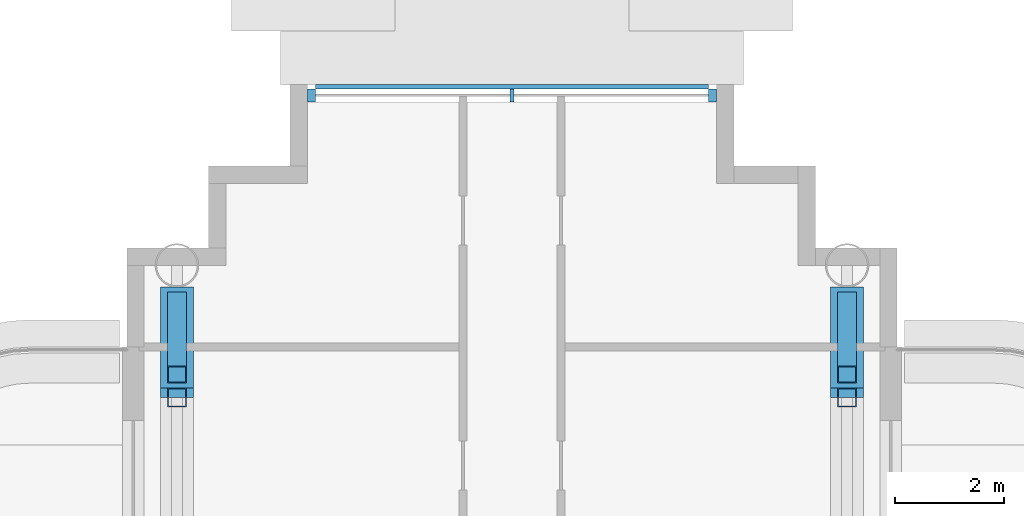
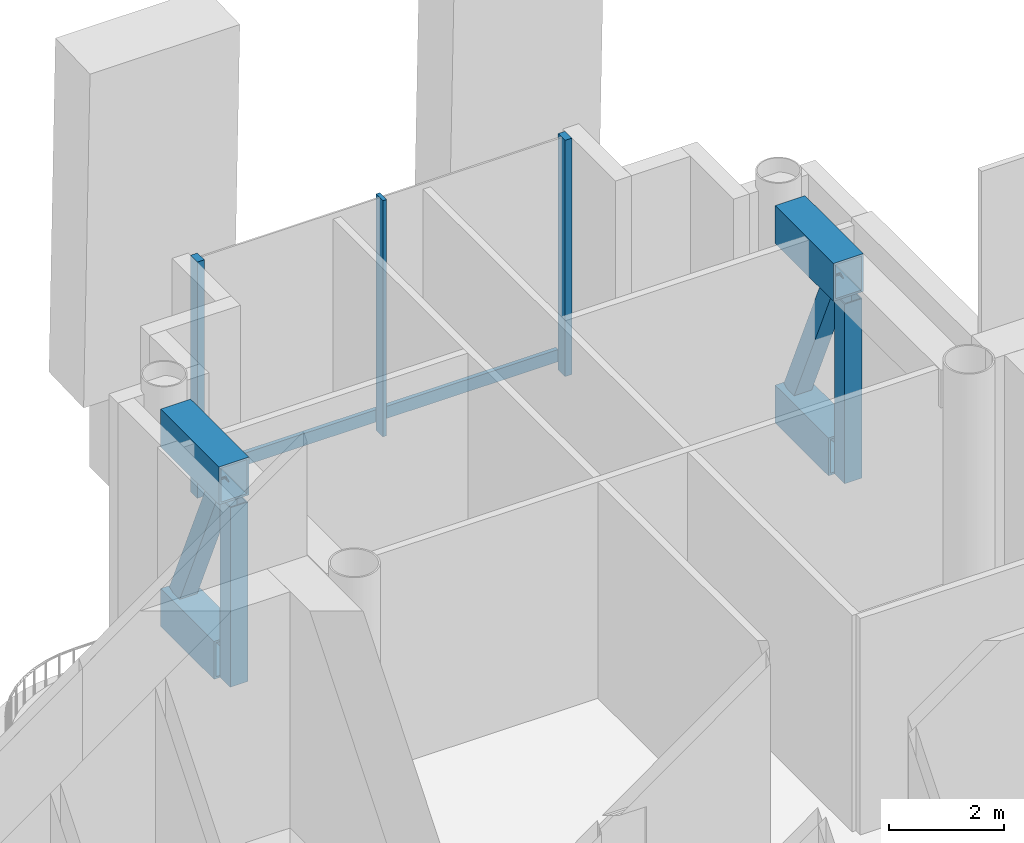
# One storey, part 5 of 34: 12 members, 1 element without a shape of its own.
"""IFC4 building model written with IfcOpenShell, lengths in metres."""

from ifc_helpers import new_model, si_unit, direction, frame, origin, origin_2d, place, context, subcontext, project, spatial, rectangle, hollow_rectangle, extrude, material, layer, layer_set, material_profile, profile_set, type_object, element, aggregate, save


model = new_model("IFC4")

# Units and contexts
model_context = context("Model", 3, precision=1e-05, world=origin(), true_north=direction((0.0, 1.0)))
body_context = subcontext(model_context, "Body", "Model", "MODEL_VIEW")
ifc_project = project(units=[si_unit("LENGTHUNIT", "METRE"), si_unit("AREAUNIT", "SQUARE_METRE"), si_unit("VOLUMEUNIT", "CUBIC_METRE"), si_unit("PLANEANGLEUNIT", "RADIAN"), si_unit("MASSUNIT", "GRAM", prefix="KILO")], contexts=[model_context])

# Site, building, storey
site_placement = place(None, origin())
site = spatial("IfcSite", under=ifc_project, at=site_placement, CompositionType="ELEMENT")
building_placement = place(site_placement, origin())
building = spatial("IfcBuilding", under=site, at=building_placement, Name="Ipe Terrace Towers", CompositionType="ELEMENT")
storey_placement = place(building_placement, frame((0.0, 0.0, 128.699951171875)))
storey = spatial("IfcBuildingStorey", under=building, at=storey_placement, Name="L35", CompositionType="ELEMENT", Elevation=128.699951171875)

# Members
ifc_material_1 = material(Name="Steel S355", Category="steel")
ifc_material_profile_1 = material_profile(ifc_material_1, hollow_rectangle(XDim=0.35009765625, YDim=0.35009765625, WallThickness=0.02001953125, at=origin_2d()), Name="OUTRIGGER-BRACE BOX 350x350x20")
ifc_profile_set_1 = profile_set([ifc_material_profile_1], Name="Steel S355")
member_type_1 = type_object("IfcMemberType", Name="OUTRIGGER-BRACE BOX 350x350x20", PredefinedType="BRACE", material=ifc_profile_set_1)
for number, where, z_axis, x_axis, name in (
    (1, (-42.14990234375, 12.10205078125, 0.780029296875), (0.0, -0.406859848219, 0.913490593223), (1.0, 0.0, 0.0), "T1-OR-L35-172 diagonal"),
    (2, (-29.85009765625, 12.10205078125, 0.780029296875), (0.0, -0.406859848219, 0.913490593223), (1.0, 0.0, 0.0), "T1-OR-L35-177 diagonal"),
):
    element("IfcMember", number, at=place(storey_placement, frame(where, z_axis=z_axis, x_axis=x_axis)), inside=storey, type_object=member_type_1, Name=name, PredefinedType="BRACE", context=body_context, shape_type="SweptSolid", body=[
        extrude(hollow_rectangle(XDim=0.35009765625, YDim=0.35009765625, WallThickness=0.02001953125, at=origin_2d()), origin(), (0.0, 0.0, 1.0), 3.327880859375),
    ])
ifc_material_2 = material(Name="Steel S355", Category="steel")
ifc_material_profile_2 = material_profile(ifc_material_2, hollow_rectangle(XDim=0.60009765625, YDim=0.800048828125, WallThickness=0.0400390625, at=origin_2d()), Name="OUTRIGGER-CHORD BOX 600x800x40")
ifc_profile_set_2 = profile_set([ifc_material_profile_2], Name="Steel S355")
member_type_2 = type_object("IfcMemberType", Name="OUTRIGGER-CHORD BOX 600x800x40", PredefinedType="CHORD", material=ifc_profile_set_2)
member_1_placement = place(storey_placement, frame((-42.14990234375, 10.5, 0.400146484375), z_axis=(0.0, 1.0, 0.0), x_axis=(-1.0, 0.0, 0.0)))
element("IfcMember", 3, at=member_1_placement, inside=storey, type_object=member_type_2, Name="T1-OR-L35-171 bottom chord", PredefinedType="CHORD", context=body_context, shape_type="SweptSolid", body=[
    extrude(hollow_rectangle(XDim=0.60009765625, YDim=0.800048828125, WallThickness=0.0400390625, at=origin_2d()), origin(), (0.0, 0.0, 1.0), 1.85009765625),
])
member_2_placement = place(storey_placement, frame((-42.14990234375, 10.324951171875, 4.199951171875), z_axis=(0.0, 1.0, 0.0), x_axis=(-1.0, 0.0, 0.0)))
element("IfcMember", 4, at=member_2_placement, inside=storey, type_object=member_type_2, Name="T1-OR-L35-175 top chord", PredefinedType="CHORD", context=body_context, shape_type="SweptSolid", body=[
    extrude(hollow_rectangle(XDim=0.60009765625, YDim=0.800048828125, WallThickness=0.0400390625, at=origin_2d()), origin(), (0.0, 0.0, 1.0), 2.025146484375),
])
member_3_placement = place(storey_placement, frame((-29.85009765625, 10.5, 0.400146484375), z_axis=(0.0, 1.0, 0.0), x_axis=(-1.0, 0.0, 0.0)))
element("IfcMember", 5, at=member_3_placement, inside=storey, type_object=member_type_2, Name="T1-OR-L35-176 bottom chord", PredefinedType="CHORD", context=body_context, shape_type="SweptSolid", body=[
    extrude(hollow_rectangle(XDim=0.60009765625, YDim=0.800048828125, WallThickness=0.0400390625, at=origin_2d()), origin(), (0.0, 0.0, 1.0), 1.85009765625),
])
member_4_placement = place(storey_placement, frame((-29.85009765625, 10.324951171875, 4.199951171875), z_axis=(0.0, 1.0, 0.0), x_axis=(-1.0, 0.0, 0.0)))
element("IfcMember", 6, at=member_4_placement, inside=storey, type_object=member_type_2, Name="T1-OR-L35-180 top chord", PredefinedType="CHORD", context=body_context, shape_type="SweptSolid", body=[
    extrude(hollow_rectangle(XDim=0.60009765625, YDim=0.800048828125, WallThickness=0.0400390625, at=origin_2d()), origin(), (0.0, 0.0, 1.0), 2.025146484375),
])
ifc_material_3 = material(Name="Steel S355", Category="steel")
ifc_material_profile_3 = material_profile(ifc_material_3, hollow_rectangle(XDim=0.35009765625, YDim=0.35009765625, WallThickness=0.02001953125, at=origin_2d()), Name="OUTRIGGER-POST BOX 350x350x20")
ifc_profile_set_3 = profile_set([ifc_material_profile_3], Name="Steel S355")
member_type_3 = type_object("IfcMemberType", Name="OUTRIGGER-POST BOX 350x350x20", PredefinedType="POST", material=ifc_profile_set_3)
for number, where, z_axis, x_axis, name in (
    (7, (-42.14990234375, 10.324951171875, 0.0), (0.0, 0.0, 1.0), (1.0, 0.0, 0.0), "T1-OR-L35-173 post"),
    (8, (-29.85009765625, 10.324951171875, 0.0), (0.0, 0.0, 1.0), (1.0, 0.0, 0.0), "T1-OR-L35-178 post"),
):
    element("IfcMember", number, at=place(storey_placement, frame(where, z_axis=z_axis, x_axis=x_axis)), inside=storey, type_object=member_type_3, Name=name, PredefinedType="POST", context=body_context, shape_type="SweptSolid", body=[
        extrude(hollow_rectangle(XDim=0.35009765625, YDim=0.35009765625, WallThickness=0.02001953125, at=origin_2d()), origin(), (0.0, 0.0, 1.0), 3.800048828125),
    ])

# Curtain wall, members
ifc_material_4 = material(Name="Aluminium alloy 6063-T6", Category="aluminium")
ifc_layer = layer(ifc_material_4, 0.320068359375)
ifc_layer_set = layer_set([ifc_layer], Name="REFUGE FLOOR CURTAIN WALL")
curtain_wall_type = type_object("IfcCurtainWallType", Name="REFUGE FLOOR CURTAIN WALL", PredefinedType="NOTDEFINED", material=ifc_layer_set)
curtain_wall_placement = place(storey_placement, origin())
curtain_wall = element("IfcCurtainWall", 9, at=curtain_wall_placement, inside=storey, type_object=curtain_wall_type, Name="T1-CW-L35-38a curtain wall", PredefinedType="NOTDEFINED")
ifc_material_5 = material(Name="Aluminium alloy 6063-T6", Category="aluminium")
ifc_material_profile_4 = material_profile(ifc_material_5, rectangle(XDim=0.239990234375, YDim=0.139892578125, at=origin_2d()), Name="REFUGE FLOOR CORNER MULLION 240 x 140")
ifc_profile_set_4 = profile_set([ifc_material_profile_4], Name="Aluminium alloy 6063-T6")
member_type_4 = type_object("IfcMemberType", Name="REFUGE FLOOR CORNER MULLION 240 x 140", PredefinedType="MULLION", material=ifc_profile_set_4)
member_5_placement = place(storey_placement, frame((-32.320068359375, 15.8701171875, -0.300048828125), z_axis=(0.0, 0.0, 1.0), x_axis=(0.0, 1.0, 0.0)))
member_5 = element("IfcMember", 10, at=member_5_placement, type_object=member_type_4, Name="T1-CW-L35-38a mullion 1", PredefinedType="MULLION", context=body_context, shape_type="SweptSolid", body=[
    extrude(rectangle(XDim=0.239990234375, YDim=0.139892578125, at=origin_2d()), origin(), (0.0, 0.0, 1.0), 5.0),
])
member_6_placement = place(storey_placement, frame((-39.679931640625, 15.8701171875, -0.300048828125), z_axis=(0.0, 0.0, 1.0), x_axis=(0.0, 1.0, 0.0)))
member_6 = element("IfcMember", 11, at=member_6_placement, type_object=member_type_4, Name="T1-CW-L35-38a mullion 3", PredefinedType="MULLION", context=body_context, shape_type="SweptSolid", body=[
    extrude(rectangle(XDim=0.239990234375, YDim=0.139892578125, at=origin_2d()), origin(), (0.0, 0.0, 1.0), 5.0),
])
ifc_material_6 = material(Name="Aluminium alloy 6063-T6", Category="aluminium")
ifc_material_profile_5 = material_profile(ifc_material_6, rectangle(XDim=0.239990234375, YDim=0.074951171875, at=origin_2d()), Name="REFUGE FLOOR MULLION 240 x 75")
ifc_profile_set_5 = profile_set([ifc_material_profile_5], Name="Aluminium alloy 6063-T6")
member_type_5 = type_object("IfcMemberType", Name="REFUGE FLOOR MULLION 240 x 75", PredefinedType="MULLION", material=ifc_profile_set_5)
member_7_placement = place(storey_placement, frame((-36.0, 15.8701171875, -0.300048828125), z_axis=(0.0, 0.0, 1.0), x_axis=(0.0, 1.0, 0.0)))
member_7 = element("IfcMember", 12, at=member_7_placement, type_object=member_type_5, Name="T1-CW-L35-38a mullion 2", PredefinedType="MULLION", context=body_context, shape_type="SweptSolid", body=[
    extrude(rectangle(XDim=0.239990234375, YDim=0.074951171875, at=origin_2d()), origin(), (0.0, 0.0, 1.0), 5.0),
])
ifc_material_7 = material(Name="Aluminium alloy 6063-T6", Category="aluminium")
ifc_material_profile_6 = material_profile(ifc_material_7, rectangle(XDim=0.080078125, YDim=0.260009765625, at=origin_2d()), Name="REFUGE FLOOR TRANSOM 80 x 260")
ifc_profile_set_6 = profile_set([ifc_material_profile_6], Name="Aluminium alloy 6063-T6")
member_type_6 = type_object("IfcMemberType", Name="REFUGE FLOOR TRANSOM 80 x 260", PredefinedType="USERDEFINED", material=ifc_profile_set_6)
member_8_placement = place(storey_placement, frame((-32.389892578125, 16.030029296875, 0.0), z_axis=(-1.0, 0.0, 0.0), x_axis=(0.0, 1.0, 0.0)))
member_8 = element("IfcMember", 13, at=member_8_placement, type_object=member_type_6, Name="T1-CW-L35-38a transom", ObjectType="TRANSOM", PredefinedType="USERDEFINED", context=body_context, shape_type="SweptSolid", body=[
    extrude(rectangle(XDim=0.080078125, YDim=0.260009765625, at=origin_2d()), origin(), (0.0, 0.0, 1.0), 7.22021484375),
])
aggregate(curtain_wall, [member_5, member_7, member_6, member_8])

save(model, "model.ifc")
